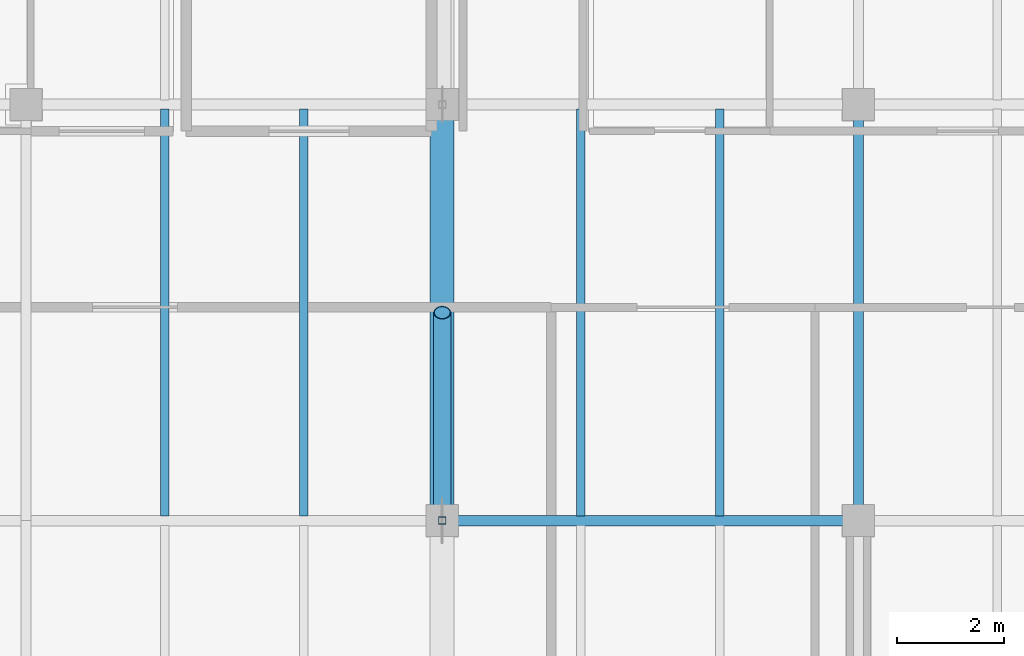
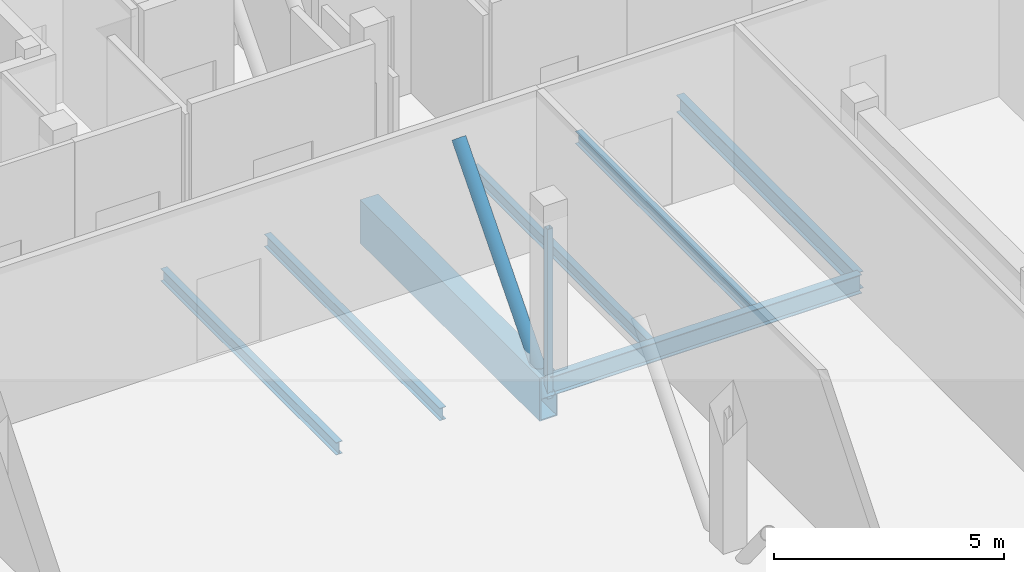
# One storey, part 41 of 119: 7 beams, 2 members.
"""IFC4 building model written with IfcOpenShell, lengths in metres."""

from ifc_helpers import new_model, si_unit, direction, frame, origin, origin_2d, place, context, subcontext, project, spatial, hollow_rectangle, hollow_circle, i_section, extrude, material, material_profile, profile_set, type_object, element, save


model = new_model("IFC4")

# Units and contexts
model_context = context("Model", 3, precision=1e-05, world=origin(), true_north=direction((0.0, 1.0)))
body_context = subcontext(model_context, "Body", "Model", "MODEL_VIEW")
ifc_project = project(units=[si_unit("LENGTHUNIT", "METRE"), si_unit("AREAUNIT", "SQUARE_METRE"), si_unit("VOLUMEUNIT", "CUBIC_METRE"), si_unit("PLANEANGLEUNIT", "RADIAN"), si_unit("MASSUNIT", "GRAM", prefix="KILO")], contexts=[model_context])

# Site, building, storey
site_placement = place(None, origin())
site = spatial("IfcSite", under=ifc_project, at=site_placement, CompositionType="ELEMENT")
building_placement = place(site_placement, origin())
building = spatial("IfcBuilding", under=site, at=building_placement, Name="Celorna Specialist Clinic", CompositionType="ELEMENT")
storey_placement = place(building_placement, frame((0.0, 0.0, 9.60009765625)))
storey = spatial("IfcBuildingStorey", under=building, at=storey_placement, Name="L02", CompositionType="ELEMENT", Elevation=9.60009765625)

# Beams
ifc_material = material(Name="Steel S355", Category="steel")
ifc_material_profile_1 = material_profile(ifc_material, hollow_rectangle(XDim=0.449951171875, YDim=1.14990234375, WallThickness=0.031982421875, at=origin_2d()), Name="BOX 450x1150x32")
ifc_profile_set_1 = profile_set([ifc_material_profile_1], Name="Steel S355")
beam_type_1 = type_object("IfcBeamType", Name="BM-01", PredefinedType="BEAM", material=ifc_profile_set_1)
beam_1_placement = place(storey_placement, frame((70.199951171875, 27.300048828125, -0.835205078125), z_axis=(0.0, 1.0, 0.0), x_axis=(-1.0, 0.0, 0.0)))
element("IfcBeam", 1, at=beam_1_placement, inside=storey, type_object=beam_type_1, Name="Cantilever Pratt truss chord WP-036-WP-037", PredefinedType="BEAM", context=body_context, shape_type="SweptSolid", body=[
    extrude(hollow_rectangle(XDim=0.449951171875, YDim=1.14990234375, WallThickness=0.031982421875, at=origin_2d()), origin(), (0.0, 0.0, 1.0), 7.800048828125),
])
ifc_material_profile_2 = material_profile(ifc_material, i_section(OverallWidth=0.199951171875, OverallDepth=0.5, WebThickness=0.01025390625, FlangeThickness=0.01611328125, at=origin_2d()), Name="IPE 500")
ifc_profile_set_2 = profile_set([ifc_material_profile_2], Name="Steel S355")
beam_type_2 = type_object("IfcBeamType", Name="BM-08", PredefinedType="BEAM", material=ifc_profile_set_2)
beam_2_placement = place(storey_placement, frame((70.199951171875, 27.300048828125, -0.510009765625), z_axis=(1.0, 0.0, 0.0), x_axis=(0.0, 1.0, 0.0)))
element("IfcBeam", 2, at=beam_2_placement, inside=storey, type_object=beam_type_2, Name="Primary girder BM-08 #2115", PredefinedType="BEAM", context=body_context, shape_type="SweptSolid", body=[
    extrude(i_section(OverallWidth=0.199951171875, OverallDepth=0.5, WebThickness=0.01025390625, FlangeThickness=0.01611328125, at=origin_2d()), origin(), (0.0, 0.0, 1.0), 7.800048828125),
])
ifc_material_profile_3 = material_profile(ifc_material, i_section(OverallWidth=0.18994140625, OverallDepth=0.449951171875, WebThickness=0.009521484375, FlangeThickness=0.0146484375, at=origin_2d()), Name="IPE 450")
ifc_profile_set_3 = profile_set([ifc_material_profile_3], Name="Steel S355")
beam_type_3 = type_object("IfcBeamType", Name="BM-09", PredefinedType="BEAM", material=ifc_profile_set_3)
beam_3_placement = place(storey_placement, frame((78.0, 27.300048828125, -0.485107421875), z_axis=(0.0, 1.0, 0.0), x_axis=(-1.0, 0.0, 0.0)))
element("IfcBeam", 3, at=beam_3_placement, inside=storey, type_object=beam_type_3, Name="Transverse girder BM-09 #2130", PredefinedType="BEAM", context=body_context, shape_type="SweptSolid", body=[
    extrude(i_section(OverallWidth=0.18994140625, OverallDepth=0.449951171875, WebThickness=0.009521484375, FlangeThickness=0.0146484375, at=origin_2d()), origin(), (0.0, 0.0, 1.0), 7.800048828125),
])
ifc_material_profile_4 = material_profile(ifc_material, i_section(OverallWidth=0.159912109375, OverallDepth=0.330078125, WebThickness=0.007568359375, FlangeThickness=0.011474609375, at=origin_2d()), Name="IPE 330")
ifc_profile_set_4 = profile_set([ifc_material_profile_4], Name="Steel S355")
beam_type_4 = type_object("IfcBeamType", Name="BM-12", PredefinedType="JOIST", material=ifc_profile_set_4)
for number, where, z_axis, x_axis, name in (
    (4, (65.0, 27.387939453125, -0.425048828125), (0.0, 1.0, 0.0), (-1.0, 0.0, 0.0), "Secondary floor joist BM-12 #2143"),
    (5, (67.60009765625, 27.387939453125, -0.425048828125), (0.0, 1.0, 0.0), (-1.0, 0.0, 0.0), "Secondary floor joist BM-12 #2144"),
    (6, (72.800048828125, 27.387939453125, -0.425048828125), (0.0, 1.0, 0.0), (-1.0, 0.0, 0.0), "Secondary floor joist BM-12 #2148"),
    (7, (75.39990234375, 27.387939453125, -0.425048828125), (0.0, 1.0, 0.0), (-1.0, 0.0, 0.0), "Secondary floor joist BM-12 #2149"),
):
    element("IfcBeam", number, at=place(storey_placement, frame(where, z_axis=z_axis, x_axis=x_axis)), inside=storey, type_object=beam_type_4, Name=name, PredefinedType="JOIST", context=body_context, shape_type="SweptSolid", body=[
        extrude(i_section(OverallWidth=0.159912109375, OverallDepth=0.330078125, WebThickness=0.007568359375, FlangeThickness=0.011474609375, at=origin_2d()), origin(), (0.0, 0.0, 1.0), 7.6240234375),
    ])

# Members
ifc_material_profile_5 = material_profile(ifc_material, hollow_circle(Radius=0.161865234375, WallThickness=0.01611328125, at=origin_2d()), Name="CHS 323.9x16")
ifc_profile_set_5 = profile_set([ifc_material_profile_5], Name="Steel S355")
member_type_1 = type_object("IfcMemberType", Name="MB-05", PredefinedType="BRACE", material=ifc_profile_set_5)
member_1_placement = place(storey_placement, frame((70.199951171875, 27.300048828125, -0.835205078125), z_axis=(0.0, 0.654921173069, 0.755697199324), x_axis=(-1.0, 0.0, 0.0)))
element("IfcMember", 8, at=member_1_placement, inside=storey, type_object=member_type_1, Name="Cantilever Pratt truss web diagonal WP-036-WP-056", PredefinedType="BRACE", context=body_context, shape_type="SweptSolid", body=[
    extrude(hollow_circle(Radius=0.161865234375, WallThickness=0.01611328125, at=origin_2d()), origin(), (0.0, 0.0, 1.0), 5.954833984375),
])
ifc_material_profile_6 = material_profile(ifc_material, hollow_rectangle(XDim=0.139892578125, YDim=0.139892578125, WallThickness=0.008056640625, at=origin_2d()), Name="SHS 140x140x8")
ifc_profile_set_6 = profile_set([ifc_material_profile_6], Name="Steel S355")
member_type_2 = type_object("IfcMemberType", Name="MB-10", PredefinedType="CHORD", material=ifc_profile_set_6)
member_2_placement = place(storey_placement, frame((70.199951171875, 27.300048828125, -0.835205078125), z_axis=(0.0, 0.0, 1.0), x_axis=(1.0, 0.0, 0.0)))
element("IfcMember", 9, at=member_2_placement, inside=storey, type_object=member_type_2, Name="Cantilever Pratt truss vertical post WP-036-WP-041", PredefinedType="CHORD", context=body_context, shape_type="SweptSolid", body=[
    extrude(hollow_rectangle(XDim=0.139892578125, YDim=0.139892578125, WallThickness=0.008056640625, at=origin_2d()), origin(), (0.0, 0.0, 1.0), 4.5),
])

save(model, "model.ifc")
